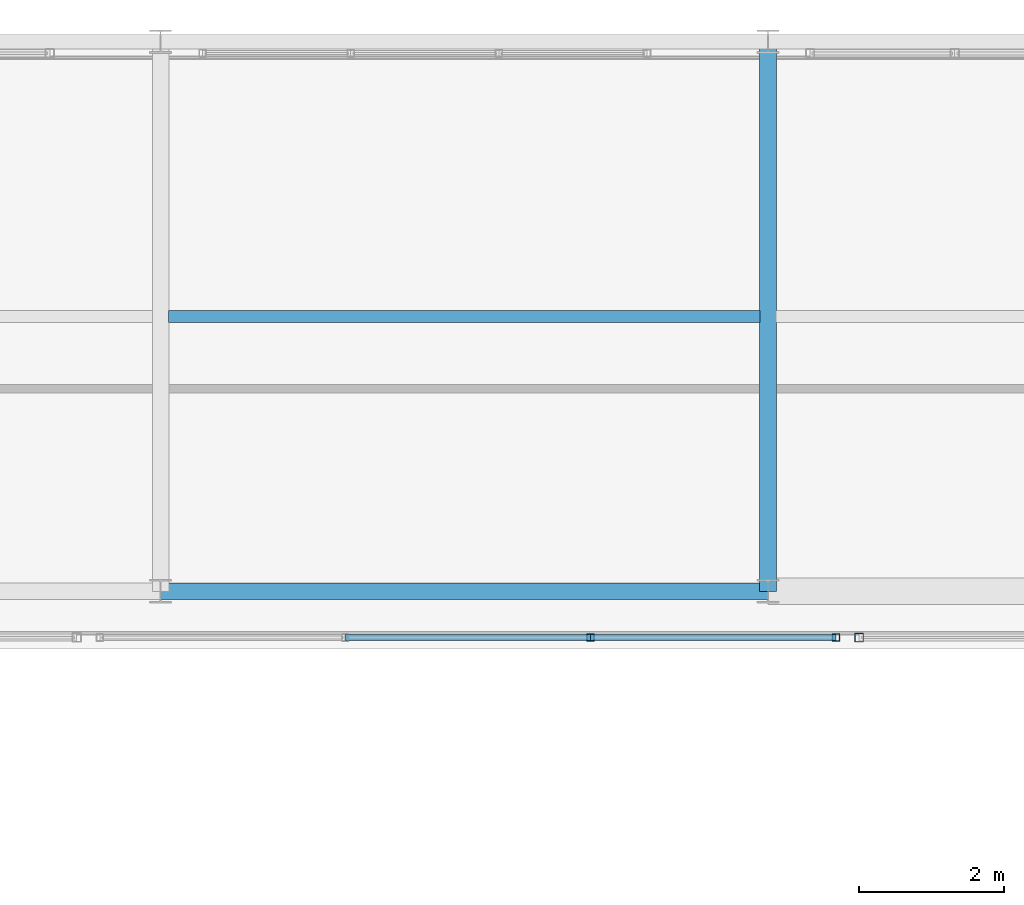
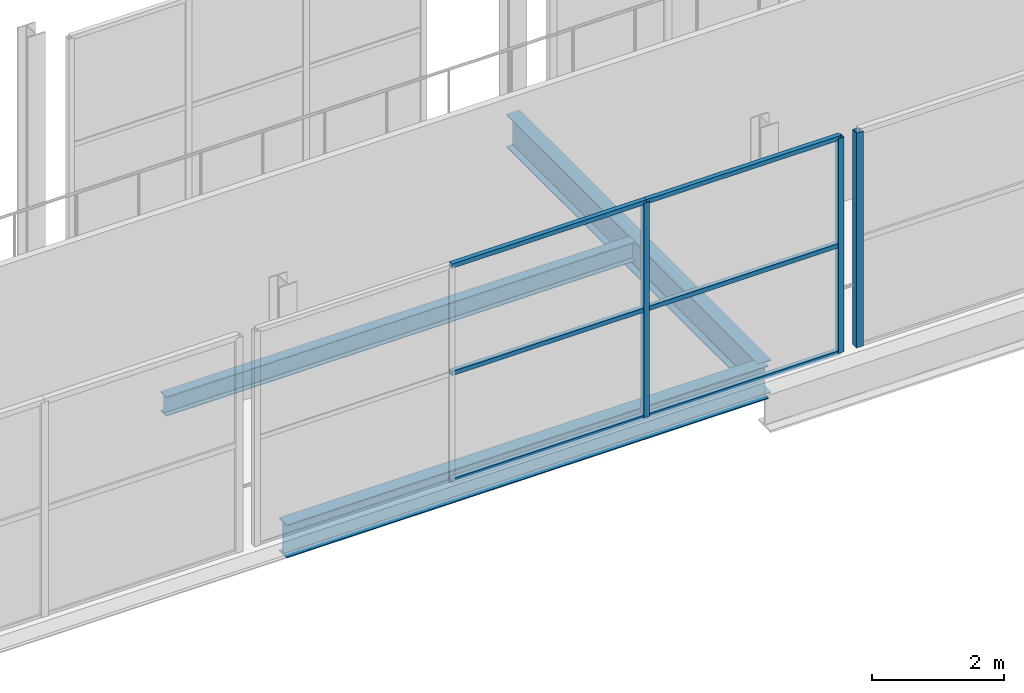
# One storey, part 99 of 151: 9 members, 3 beams, 2 elements without a shape of their own.
"""IFC4 building model written with IfcOpenShell, lengths in metres."""

from ifc_helpers import new_model, si_unit, direction, frame, origin, origin_2d, place, context, subcontext, project, spatial, hollow_rectangle, i_section, extrude, material, material_profile, profile_set, type_object, element, aggregate, save


model = new_model("IFC4")

# Units and contexts
model_context = context("Model", 3, precision=1e-05, world=origin(), true_north=direction((0.0, 1.0)))
body_context = subcontext(model_context, "Body", "Model", "MODEL_VIEW")
ifc_project = project(units=[si_unit("LENGTHUNIT", "METRE"), si_unit("AREAUNIT", "SQUARE_METRE"), si_unit("VOLUMEUNIT", "CUBIC_METRE"), si_unit("PLANEANGLEUNIT", "RADIAN"), si_unit("MASSUNIT", "GRAM", prefix="KILO")], contexts=[model_context])

# Site, building, storey
site_placement = place(None, origin())
site = spatial("IfcSite", under=ifc_project, at=site_placement, CompositionType="ELEMENT")
building_placement = place(site_placement, origin())
building = spatial("IfcBuilding", under=site, at=building_placement, Name="Zuvorla Pavilion Media Centre", CompositionType="ELEMENT")
storey_placement = place(building_placement, frame((0.0, 0.0, 13.800048828125)))
storey = spatial("IfcBuildingStorey", under=building, at=storey_placement, Name="L03", CompositionType="ELEMENT", Elevation=13.800048828125)

# Beams
ifc_material_1 = material(Name="Steel S355", Category="steel")
ifc_material_profile_1 = material_profile(ifc_material_1, i_section(OverallWidth=0.172119140625, OverallDepth=0.35791015625, WebThickness=0.008056640625, FlangeThickness=0.012939453125, FilletRadius=0.01025390625, at=origin_2d()), Name="UB 356x171x57")
ifc_profile_set_1 = profile_set([ifc_material_profile_1], Name="Steel S355")
beam_type_1 = type_object("IfcBeamType", Name="BM-UB356", PredefinedType="JOIST", material=ifc_profile_set_1)
beam_1_placement = place(storey_placement, frame((134.109619140625, 85.800048828125, -0.43701171875), z_axis=(1.0, 0.0, 0.0), x_axis=(0.0, 1.0, 0.0)))
element("IfcBeam", 1, at=beam_1_placement, inside=storey, type_object=beam_type_1, Name="L03 joist J03 1284", PredefinedType="JOIST", context=body_context, shape_type="SweptSolid", body=[
    extrude(i_section(OverallWidth=0.172119140625, OverallDepth=0.35791015625, WebThickness=0.008056640625, FlangeThickness=0.012939453125, FilletRadius=0.01025390625, at=origin_2d()), origin(), (0.0, 0.0, 1.0), 8.180908203125),
])
ifc_material_profile_2 = material_profile(ifc_material_1, i_section(OverallWidth=0.22900390625, OverallDepth=0.6123046875, WebThickness=0.011962890625, FlangeThickness=0.01953125, FilletRadius=0.0126953125, at=origin_2d()), Name="UB 610x229x125")
ifc_profile_set_2 = profile_set([ifc_material_profile_2], Name="Steel S355")
beam_type_2 = type_object("IfcBeamType", Name="BM-UB610", PredefinedType="BEAM", material=ifc_profile_set_2)
beam_2_placement = place(storey_placement, frame((134.0, 82.0, -0.564208984375), z_axis=(1.0, 0.0, 0.0), x_axis=(0.0, 1.0, 0.0)))
element("IfcBeam", 2, at=beam_2_placement, inside=storey, type_object=beam_type_2, Name="L03 beam B07 1128", PredefinedType="BEAM", context=body_context, shape_type="SweptSolid", body=[
    extrude(i_section(OverallWidth=0.22900390625, OverallDepth=0.6123046875, WebThickness=0.011962890625, FlangeThickness=0.01953125, FilletRadius=0.0126953125, at=origin_2d()), origin(), (0.0, 0.0, 1.0), 8.39990234375),
])
beam_3_placement = place(storey_placement, frame((142.39990234375, 82.0, -0.564208984375), z_axis=(0.0, 1.0, 0.0), x_axis=(-1.0, 0.0, 0.0)))
element("IfcBeam", 3, at=beam_3_placement, inside=storey, type_object=beam_type_2, Name="L03 beam B07 1219", PredefinedType="BEAM", context=body_context, shape_type="SweptSolid", body=[
    extrude(i_section(OverallWidth=0.22900390625, OverallDepth=0.6123046875, WebThickness=0.011962890625, FlangeThickness=0.01953125, FilletRadius=0.0126953125, at=origin_2d()), origin(), (0.0, 0.0, 1.0), 7.60009765625),
])

# Curtain wall, members
ifc_material_2 = material(Name="Unitised anodised aluminium and solar glass curtain wall", Category="aluminium")
curtain_wall_type_1 = type_object("IfcCurtainWallType", Name="CW-SYS-33", PredefinedType="USERDEFINED", material=ifc_material_2)
curtain_wall_1_placement = place(storey_placement, origin())
curtain_wall_1 = element("IfcCurtainWall", 4, at=curtain_wall_1_placement, inside=storey, type_object=curtain_wall_type_1, Name="L03 curtain wall CW33 182", ObjectType="CURTAIN WALL", PredefinedType="USERDEFINED")
ifc_material_3 = material(Name="Anodised aluminium 6063-T6", Category="aluminium")
ifc_material_profile_3 = material_profile(ifc_material_3, hollow_rectangle(XDim=0.10009765625, YDim=0.10009765625, WallThickness=0.00439453125, at=origin_2d()), Name="ALU MULL 100x100")
ifc_profile_set_3 = profile_set([ifc_material_profile_3], Name="Anodised aluminium 6063-T6")
member_type_1 = type_object("IfcMemberType", Name="CW-MULL-100", PredefinedType="MULLION", material=ifc_profile_set_3)
member_1_placement = place(storey_placement, frame((143.340087890625, 81.360107421875, 0.0), z_axis=(0.0, 0.0, 1.0), x_axis=(1.0, 0.0, 0.0)))
member_1 = element("IfcMember", 5, at=member_1_placement, type_object=member_type_1, Name="CW33 mullion 1", PredefinedType="MULLION", context=body_context, shape_type="SweptSolid", body=[
    extrude(hollow_rectangle(XDim=0.10009765625, YDim=0.10009765625, WallThickness=0.00439453125, at=origin_2d()), origin(), (0.0, 0.0, 1.0), 3.9599609375),
])
member_2_placement = place(storey_placement, frame((139.94677734375, 81.360107421875, 0.0), z_axis=(0.0, 0.0, 1.0), x_axis=(1.0, 0.0, 0.0)))
member_2 = element("IfcMember", 6, at=member_2_placement, type_object=member_type_1, Name="CW33 mullion 2", PredefinedType="MULLION", context=body_context, shape_type="SweptSolid", body=[
    extrude(hollow_rectangle(XDim=0.10009765625, YDim=0.10009765625, WallThickness=0.00439453125, at=origin_2d()), origin(), (0.0, 0.0, 1.0), 3.9599609375),
])

# Curtain wall, member
curtain_wall_type_2 = type_object("IfcCurtainWallType", Name="CW-SYS-35", PredefinedType="USERDEFINED", material=ifc_material_2)
curtain_wall_2_placement = place(storey_placement, origin())
curtain_wall_2 = element("IfcCurtainWall", 7, at=curtain_wall_2_placement, inside=storey, type_object=curtain_wall_type_2, Name="L03 curtain wall CW35 185", ObjectType="CURTAIN WALL", PredefinedType="USERDEFINED")
ifc_material_profile_4 = material_profile(ifc_material_3, hollow_rectangle(XDim=0.1201171875, YDim=0.1201171875, WallThickness=0.0048828125, at=origin_2d()), Name="ALU MULL 120x120")
ifc_profile_set_4 = profile_set([ifc_material_profile_4], Name="Anodised aluminium 6063-T6")
member_type_2 = type_object("IfcMemberType", Name="CW-MULL-120", PredefinedType="MULLION", material=ifc_profile_set_4)
member_3_placement = place(storey_placement, frame((143.659912109375, 81.360107421875, 0.0), z_axis=(0.0, 0.0, 1.0), x_axis=(1.0, 0.0, 0.0)))
member_3 = element("IfcMember", 8, at=member_3_placement, type_object=member_type_2, Name="CW35 mullion 4", PredefinedType="MULLION", context=body_context, shape_type="SweptSolid", body=[
    extrude(hollow_rectangle(XDim=0.1201171875, YDim=0.1201171875, WallThickness=0.0048828125, at=origin_2d()), origin(), (0.0, 0.0, 1.0), 3.9599609375),
])
aggregate(curtain_wall_2, [member_3])

# Member
ifc_material_profile_5 = material_profile(ifc_material_3, hollow_rectangle(XDim=0.080078125, YDim=0.080078125, WallThickness=0.00390625, at=origin_2d()), Name="ALU TRAN 80x80")
ifc_profile_set_5 = profile_set([ifc_material_profile_5], Name="Anodised aluminium 6063-T6")
member_type_3 = type_object("IfcMemberType", Name="CW-TRAN-80", PredefinedType="USERDEFINED", material=ifc_profile_set_5)
member_4_placement = place(storey_placement, frame((143.340087890625, 81.360107421875, 0.0), z_axis=(-1.0, 0.0, 0.0), x_axis=(0.0, -1.0, 0.0)))
member_4 = element("IfcMember", 9, at=member_4_placement, type_object=member_type_3, Name="CW33 transom 1.1", ObjectType="TRANSOM", PredefinedType="USERDEFINED", context=body_context, shape_type="SweptSolid", body=[
    extrude(hollow_rectangle(XDim=0.080078125, YDim=0.080078125, WallThickness=0.00390625, at=origin_2d()), origin(), (0.0, 0.0, 1.0), 3.393310546875),
])

member_5_placement = place(storey_placement, frame((143.340087890625, 81.360107421875, 1.97998046875), z_axis=(-1.0, 0.0, 0.0), x_axis=(0.0, -1.0, 0.0)))
member_5 = element("IfcMember", 10, at=member_5_placement, type_object=member_type_3, Name="CW33 transom 1.2", ObjectType="TRANSOM", PredefinedType="USERDEFINED", context=body_context, shape_type="SweptSolid", body=[
    extrude(hollow_rectangle(XDim=0.080078125, YDim=0.080078125, WallThickness=0.00390625, at=origin_2d()), origin(), (0.0, 0.0, 1.0), 3.393310546875),
])

member_6_placement = place(storey_placement, frame((143.340087890625, 81.360107421875, 3.9599609375), z_axis=(-1.0, 0.0, 0.0), x_axis=(0.0, -1.0, 0.0)))
member_6 = element("IfcMember", 11, at=member_6_placement, type_object=member_type_3, Name="CW33 transom 1.3", ObjectType="TRANSOM", PredefinedType="USERDEFINED", context=body_context, shape_type="SweptSolid", body=[
    extrude(hollow_rectangle(XDim=0.080078125, YDim=0.080078125, WallThickness=0.00390625, at=origin_2d()), origin(), (0.0, 0.0, 1.0), 3.393310546875),
])

member_7_placement = place(storey_placement, frame((139.94677734375, 81.360107421875, 0.0), z_axis=(-1.0, 0.0, 0.0), x_axis=(0.0, -1.0, 0.0)))
member_7 = element("IfcMember", 12, at=member_7_placement, type_object=member_type_3, Name="CW33 transom 2.1", ObjectType="TRANSOM", PredefinedType="USERDEFINED", context=body_context, shape_type="SweptSolid", body=[
    extrude(hollow_rectangle(XDim=0.080078125, YDim=0.080078125, WallThickness=0.00390625, at=origin_2d()), origin(), (0.0, 0.0, 1.0), 3.3935546875),
])

member_8_placement = place(storey_placement, frame((139.94677734375, 81.360107421875, 1.97998046875), z_axis=(-1.0, 0.0, 0.0), x_axis=(0.0, -1.0, 0.0)))
member_8 = element("IfcMember", 13, at=member_8_placement, type_object=member_type_3, Name="CW33 transom 2.2", ObjectType="TRANSOM", PredefinedType="USERDEFINED", context=body_context, shape_type="SweptSolid", body=[
    extrude(hollow_rectangle(XDim=0.080078125, YDim=0.080078125, WallThickness=0.00390625, at=origin_2d()), origin(), (0.0, 0.0, 1.0), 3.3935546875),
])

member_9_placement = place(storey_placement, frame((139.94677734375, 81.360107421875, 3.9599609375), z_axis=(-1.0, 0.0, 0.0), x_axis=(0.0, -1.0, 0.0)))
member_9 = element("IfcMember", 14, at=member_9_placement, type_object=member_type_3, Name="CW33 transom 2.3", ObjectType="TRANSOM", PredefinedType="USERDEFINED", context=body_context, shape_type="SweptSolid", body=[
    extrude(hollow_rectangle(XDim=0.080078125, YDim=0.080078125, WallThickness=0.00390625, at=origin_2d()), origin(), (0.0, 0.0, 1.0), 3.3935546875),
])

aggregate(curtain_wall_1, [member_1, member_2, member_4, member_5, member_6, member_7, member_8, member_9])

save(model, "model.ifc")
